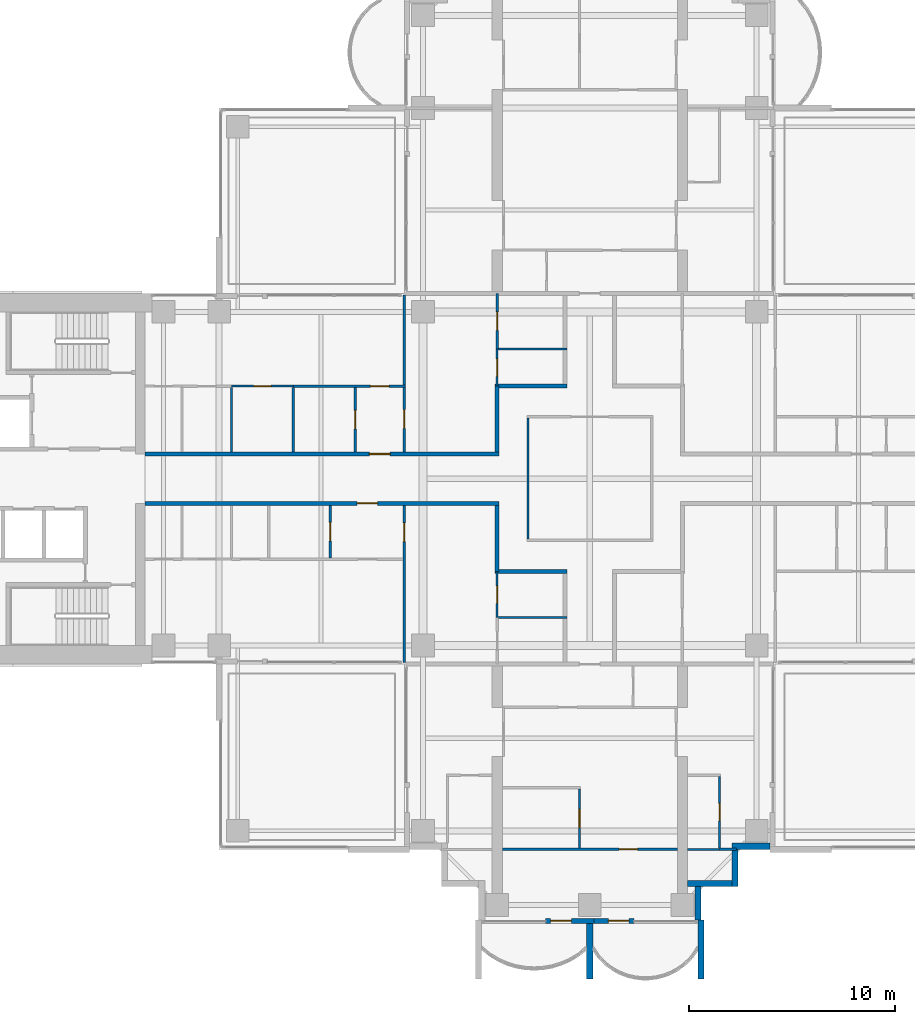
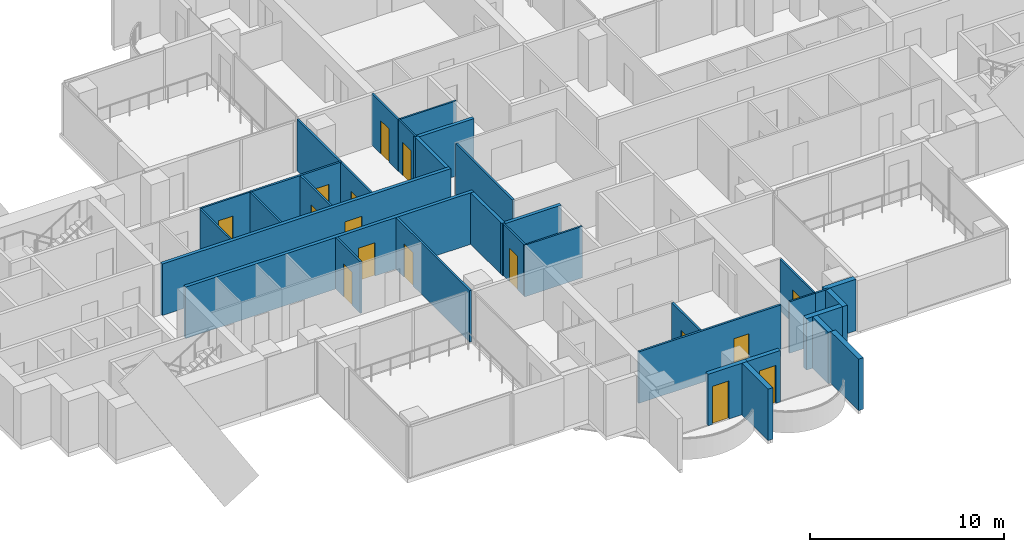
# One storey, part 10 of 19: 33 walls, 16 doors, 16 openings.
"""IFC4 building model written with IfcOpenShell, lengths in metres."""

from ifc_helpers import new_model, si_unit, direction, frame, frame_2d, origin, place, context, subcontext, project, spatial, rectangle, extrude, material, layer, layer_set, type_object, element, fill, save


model = new_model("IFC4")

# Units and contexts
model_context = context("Model", 3, precision=1e-05, world=origin(), true_north=direction((0.0, 1.0)))
body_context = subcontext(model_context, "Body", "Model", "MODEL_VIEW")
ifc_project = project(units=[si_unit("LENGTHUNIT", "METRE"), si_unit("AREAUNIT", "SQUARE_METRE"), si_unit("VOLUMEUNIT", "CUBIC_METRE"), si_unit("PLANEANGLEUNIT", "RADIAN"), si_unit("MASSUNIT", "GRAM", prefix="KILO")], contexts=[model_context])

# Site, building, storey
site_placement = place(None, origin())
site = spatial("IfcSite", under=ifc_project, at=site_placement, CompositionType="ELEMENT")
building_placement = place(site_placement, origin())
building = spatial("IfcBuilding", under=site, at=building_placement, Name="Perihelion Cross Residences", CompositionType="ELEMENT")
storey_placement = place(building_placement, frame((0.0, 0.0, 137.39990234375)))
storey = spatial("IfcBuildingStorey", under=building, at=storey_placement, Name="L33", CompositionType="ELEMENT", Elevation=137.39990234375)

# Wall, opening, door
ifc_material_1 = material(Name="Plasterboard partition")
ifc_layer_1 = layer(ifc_material_1, 0.199951171875)
ifc_layer_set_1 = layer_set([ifc_layer_1], Name="Apartment separation wall 200")
wall_type_1 = type_object("IfcWallType", Name="Apartment separation wall 200", PredefinedType="PARTITIONING", material=ifc_layer_set_1)
wall_1_placement = place(storey_placement, frame((-21.60009765625, 1.199951171875, 0.0), z_axis=(0.0, 0.0, 1.0), x_axis=(1.0, 0.0, 0.0)))
wall_1 = element("IfcWall", 1, at=wall_1_placement, inside=storey, type_object=wall_type_1, Name="Partition L33 W013", PredefinedType="PARTITIONING", context=body_context, shape_type="SweptSolid", body=[
    extrude(rectangle(XDim=17.2001953125, YDim=0.199951171875, at=frame_2d((8.60009765625, 0.0))), origin(), (0.0, 0.0, 1.0), 3.25),
])
opening_1_placement = place(wall_1_placement, frame((10.89990234375, 0.0, 0.0)))
opening_1 = element("IfcOpeningElement", 2, at=opening_1_placement, cuts=wall_1, Name="Opening L33.A48", PredefinedType="OPENING", context=body_context, shape_type="SweptSolid", body=[
    extrude(rectangle(XDim=1.0, YDim=2.10009765625, at=frame_2d((0.5, 1.050048828125))), frame((0.0, 0.10986328125, 0.0), z_axis=(0.0, -1.0, 0.0), x_axis=(1.0, 0.0, 0.0)), (0.0, 0.0, 1.0), 0.219970703125),
])
ifc_material_2 = material(Name="Timber door leaf", Category="wood")
door_type_1 = type_object("IfcDoorType", Name="Flat entrance door 1000 x 2100", OperationType="SINGLE_SWING_LEFT", PredefinedType="DOOR", material=ifc_material_2)
door_1_placement = place(opening_1_placement, origin())
door_1 = element("IfcDoor", 3, at=door_1_placement, inside=storey, type_object=door_type_1, Name="Door L33.A48", OperationType="SINGLE_SWING_RIGHT", OverallHeight=2.10009765625, OverallWidth=1.0, PredefinedType="DOOR", context=body_context, shape_type="SweptSolid", body=[
    extrude(rectangle(XDim=1.0, YDim=2.10009765625, at=frame_2d((0.5, 1.050048828125))), frame((0.0, 0.02490234375, 0.0), z_axis=(0.0, -1.0, 0.0), x_axis=(1.0, 0.0, 0.0)), (0.0, 0.0, 1.0), 0.050048828125),
])
fill(opening_1, door_1)

# Walls
wall_2_placement = place(storey_placement, frame((-4.5, 1.300048828125, 0.0), z_axis=(0.0, 0.0, 1.0), x_axis=(0.0, 1.0, 0.0)))
element("IfcWall", 4, at=wall_2_placement, inside=storey, type_object=wall_type_1, Name="Partition L33 W014", PredefinedType="PARTITIONING", context=body_context, shape_type="SweptSolid", body=[
    extrude(rectangle(XDim=3.199951171875, YDim=0.199951171875, at=frame_2d((1.60009765625, 0.0))), origin(), (0.0, 0.0, 1.0), 3.25),
])
wall_3_placement = place(storey_placement, frame((-4.60009765625, 4.5, 0.0), z_axis=(0.0, 0.0, 1.0), x_axis=(1.0, 0.0, 0.0)))
element("IfcWall", 5, at=wall_3_placement, inside=storey, type_object=wall_type_1, Name="Partition L33 W015", PredefinedType="PARTITIONING", context=body_context, shape_type="SweptSolid", body=[
    extrude(rectangle(XDim=3.5, YDim=0.199951171875, at=frame_2d((1.75, 0.0))), origin(), (0.0, 0.0, 1.0), 3.25),
])

# Wall, opening, door
wall_4_placement = place(storey_placement, frame((-4.39990234375, -1.199951171875, 0.0), z_axis=(0.0, 0.0, 1.0), x_axis=(-1.0, 0.0, 0.0)))
wall_4 = element("IfcWall", 6, at=wall_4_placement, inside=storey, type_object=wall_type_1, Name="Partition L33 W017", PredefinedType="PARTITIONING", context=body_context, shape_type="SweptSolid", body=[
    extrude(rectangle(XDim=17.2001953125, YDim=0.199951171875, at=frame_2d((8.60009765625, 0.0))), origin(), (0.0, 0.0, 1.0), 3.25),
])
opening_2_placement = place(wall_4_placement, frame((5.89990234375, 0.0, 0.0)))
opening_2 = element("IfcOpeningElement", 7, at=opening_2_placement, cuts=wall_4, Name="Opening L33.A49", PredefinedType="OPENING", context=body_context, shape_type="SweptSolid", body=[
    extrude(rectangle(XDim=1.0, YDim=2.10009765625, at=frame_2d((0.5, 1.050048828125))), frame((0.0, 0.10986328125, 0.0), z_axis=(0.0, -1.0, 0.0), x_axis=(1.0, 0.0, 0.0)), (0.0, 0.0, 1.0), 0.219970703125),
])
door_2_placement = place(opening_2_placement, origin())
door_2 = element("IfcDoor", 8, at=door_2_placement, inside=storey, type_object=door_type_1, Name="Door L33.A49", OperationType="SINGLE_SWING_RIGHT", OverallHeight=2.10009765625, OverallWidth=1.0, PredefinedType="DOOR", context=body_context, shape_type="SweptSolid", body=[
    extrude(rectangle(XDim=1.0, YDim=2.10009765625, at=frame_2d((0.5, 1.050048828125))), frame((0.0, 0.02490234375, 0.0), z_axis=(0.0, -1.0, 0.0), x_axis=(1.0, 0.0, 0.0)), (0.0, 0.0, 1.0), 0.050048828125),
])
fill(opening_2, door_2)

# Walls
wall_5_placement = place(storey_placement, frame((-4.5, -4.5, 0.0), z_axis=(0.0, 0.0, 1.0), x_axis=(0.0, 1.0, 0.0)))
element("IfcWall", 9, at=wall_5_placement, inside=storey, type_object=wall_type_1, Name="Partition L33 W018", PredefinedType="PARTITIONING", context=body_context, shape_type="SweptSolid", body=[
    extrude(rectangle(XDim=3.199951171875, YDim=0.199951171875, at=frame_2d((1.60009765625, 0.0))), origin(), (0.0, 0.0, 1.0), 3.25),
])
wall_6_placement = place(storey_placement, frame((-1.10009765625, -4.5, 0.0), z_axis=(0.0, 0.0, 1.0), x_axis=(-1.0, 0.0, 0.0)))
element("IfcWall", 10, at=wall_6_placement, inside=storey, type_object=wall_type_1, Name="Partition L33 W020", PredefinedType="PARTITIONING", context=body_context, shape_type="SweptSolid", body=[
    extrude(rectangle(XDim=3.5, YDim=0.199951171875, at=frame_2d((1.75, 0.0))), origin(), (0.0, 0.0, 1.0), 3.25),
])

# Wall, opening, door
ifc_material_3 = material(Name="Concrete C30/37, bronze-clad", Category="concrete")
ifc_layer_2 = layer(ifc_material_3, 0.25)
ifc_layer_set_2 = layer_set([ifc_layer_2], Name="Bronze-clad pier wall 250")
wall_type_2 = type_object("IfcWallType", Name="Bronze-clad pier wall 250", PredefinedType="SOLIDWALL", material=ifc_layer_set_2)
wall_7_placement = place(storey_placement, frame((-2.14990234375, -21.47509765625, 0.0), z_axis=(0.0, 0.0, 1.0), x_axis=(1.0, 0.0, 0.0)))
wall_7 = element("IfcWall", 11, at=wall_7_placement, inside=storey, type_object=wall_type_2, Name="Wall FW1 L33 south tip south bay 1 pier", PredefinedType="SOLIDWALL", context=body_context, shape_type="SweptSolid", body=[
    extrude(rectangle(XDim=2.349853515625, YDim=0.25, at=frame_2d((1.1748046875, 0.0))), origin(), (0.0, 0.0, 1.0), 3.25),
])
opening_3_placement = place(wall_7_placement, frame((0.25, 0.0, 0.0)))
opening_3 = element("IfcOpeningElement", 12, at=opening_3_placement, cuts=wall_7, Name="Opening L33.E11", PredefinedType="OPENING", context=body_context, shape_type="SweptSolid", body=[
    extrude(rectangle(XDim=1.0, YDim=2.39990234375, at=frame_2d((0.5, 1.199951171875))), frame((0.0, 0.135009765625, 0.0), z_axis=(0.0, -1.0, 0.0), x_axis=(1.0, 0.0, 0.0)), (0.0, 0.0, 1.0), 0.27001953125),
])
ifc_material_4 = material(Name="Bronze anodised aluminium, glazed", Category="aluminium")
door_type_2 = type_object("IfcDoorType", Name="Balcony door 1000 x 2400", OperationType="NOTDEFINED", PredefinedType="DOOR", material=ifc_material_4)
door_3_placement = place(opening_3_placement, origin())
door_3 = element("IfcDoor", 13, at=door_3_placement, inside=storey, type_object=door_type_2, Name="Door L33.E11 south tip south bay 1", OperationType="SINGLE_SWING_RIGHT", OverallHeight=2.39990234375, OverallWidth=1.0, PredefinedType="DOOR", context=body_context, shape_type="SweptSolid", body=[
    extrude(rectangle(XDim=1.0, YDim=2.39990234375, at=frame_2d((0.5, 1.199951171875))), frame((0.0, 0.02490234375, 0.0), z_axis=(0.0, -1.0, 0.0), x_axis=(1.0, 0.0, 0.0)), (0.0, 0.0, 1.0), 0.050048828125),
])
fill(opening_3, door_3)

wall_8_placement = place(storey_placement, frame((0.199951171875, -21.47509765625, 0.0), z_axis=(0.0, 0.0, 1.0), x_axis=(1.0, 0.0, 0.0)))
wall_8 = element("IfcWall", 14, at=wall_8_placement, inside=storey, type_object=wall_type_2, Name="Wall FW1 L33 south tip south bay 2 pier", PredefinedType="SOLIDWALL", context=body_context, shape_type="SweptSolid", body=[
    extrude(rectangle(XDim=1.949951171875, YDim=0.25, at=frame_2d((0.97509765625, 0.0))), origin(), (0.0, 0.0, 1.0), 3.25),
])
opening_4_placement = place(wall_8_placement, frame((0.699951171875, 0.0, 0.0)))
opening_4 = element("IfcOpeningElement", 15, at=opening_4_placement, cuts=wall_8, Name="Opening L33.E12", PredefinedType="OPENING", context=body_context, shape_type="SweptSolid", body=[
    extrude(rectangle(XDim=1.0, YDim=2.39990234375, at=frame_2d((0.5, 1.199951171875))), frame((0.0, 0.135009765625, 0.0), z_axis=(0.0, -1.0, 0.0), x_axis=(1.0, 0.0, 0.0)), (0.0, 0.0, 1.0), 0.27001953125),
])
door_4_placement = place(opening_4_placement, origin())
door_4 = element("IfcDoor", 16, at=door_4_placement, inside=storey, type_object=door_type_2, Name="Door L33.E12 south tip south bay 2", OperationType="SINGLE_SWING_LEFT", OverallHeight=2.39990234375, OverallWidth=1.0, PredefinedType="DOOR", context=body_context, shape_type="SweptSolid", body=[
    extrude(rectangle(XDim=1.0, YDim=2.39990234375, at=frame_2d((0.5, 1.199951171875))), frame((0.0, 0.02490234375, 0.0), z_axis=(0.0, -1.0, 0.0), x_axis=(1.0, 0.0, 0.0)), (0.0, 0.0, 1.0), 0.050048828125),
])
fill(opening_4, door_4)

# Walls
ifc_material_5 = material(Name="Concrete C30/37, bronze-clad", Category="concrete")
ifc_layer_3 = layer(ifc_material_5, 0.300048828125)
ifc_layer_set_3 = layer_set([ifc_layer_3], Name="Bronze-clad serration wall 300")
wall_type_3 = type_object("IfcWallType", Name="Bronze-clad serration wall 300", PredefinedType="SOLIDWALL", material=ifc_layer_set_3)
wall_9_placement = place(storey_placement, frame((5.25, -21.419921875, 0.0), z_axis=(0.0, 0.0, 1.0), x_axis=(0.0, 1.0, 0.0)))
element("IfcWall", 17, at=wall_9_placement, inside=storey, type_object=wall_type_3, Name="Wall SR1 L33 south corner south-east 1", PredefinedType="SOLIDWALL", context=body_context, shape_type="SweptSolid", body=[
    extrude(rectangle(XDim=1.619873046875, YDim=0.300048828125, at=frame_2d((0.81005859375, 0.0))), origin(), (0.0, 0.0, 1.0), 3.25),
])
wall_10_placement = place(storey_placement, frame((4.75, -19.64990234375, 0.0), z_axis=(0.0, 0.0, 1.0), x_axis=(1.0, 0.0, 0.0)))
element("IfcWall", 18, at=wall_10_placement, inside=storey, type_object=wall_type_3, Name="Wall SR1 L33 south corner south-east 2", PredefinedType="SOLIDWALL", context=body_context, shape_type="SweptSolid", body=[
    extrude(rectangle(XDim=2.14990234375, YDim=0.300048828125, at=frame_2d((1.074951171875, 0.0))), origin(), (0.0, 0.0, 1.0), 3.25),
])
wall_11_placement = place(storey_placement, frame((7.050048828125, -19.800048828125, 0.0), z_axis=(0.0, 0.0, 1.0), x_axis=(0.0, 1.0, 0.0)))
element("IfcWall", 19, at=wall_11_placement, inside=storey, type_object=wall_type_3, Name="Wall SR1 L33 south corner south-east 3", PredefinedType="SOLIDWALL", context=body_context, shape_type="SweptSolid", body=[
    extrude(rectangle(XDim=1.800048828125, YDim=0.300048828125, at=frame_2d((0.89990234375, 0.0))), origin(), (0.0, 0.0, 1.0), 3.25),
])
wall_12_placement = place(storey_placement, frame((6.89990234375, -17.85009765625, 0.0), z_axis=(0.0, 0.0, 1.0), x_axis=(1.0, 0.0, 0.0)))
element("IfcWall", 20, at=wall_12_placement, inside=storey, type_object=wall_type_3, Name="Wall SR1 L33 south corner south-east 4", PredefinedType="SOLIDWALL", context=body_context, shape_type="SweptSolid", body=[
    extrude(rectangle(XDim=1.85009765625, YDim=0.300048828125, at=frame_2d((0.925048828125, 0.0))), origin(), (0.0, 0.0, 1.0), 3.25),
])
ifc_material_6 = material(Name="Plasterboard partition")
ifc_layer_4 = layer(ifc_material_6, 0.1201171875)
ifc_layer_set_4 = layer_set([ifc_layer_4], Name="Partition wall 120")
wall_type_4 = type_object("IfcWallType", Name="Partition wall 120", PredefinedType="PARTITIONING", material=ifc_layer_set_4)
wall_13_placement = place(storey_placement, frame((-3.0, 2.93994140625, 0.0), z_axis=(0.0, 0.0, 1.0), x_axis=(0.0, -1.0, 0.0)))
element("IfcWall", 21, at=wall_13_placement, inside=storey, type_object=wall_type_4, Name="Partition L33 W004", PredefinedType="PARTITIONING", context=body_context, shape_type="SweptSolid", body=[
    extrude(rectangle(XDim=5.8798828125, YDim=0.1201171875, at=frame_2d((2.93994140625, 0.0))), origin(), (0.0, 0.0, 1.0), 3.25),
])

# Wall, opening, door
wall_14_placement = place(storey_placement, frame((-11.39990234375, 1.300048828125, 0.0), z_axis=(0.0, 0.0, 1.0), x_axis=(0.0, 1.0, 0.0)))
wall_14 = element("IfcWall", 22, at=wall_14_placement, inside=storey, type_object=wall_type_4, Name="Partition L33 W041", PredefinedType="PARTITIONING", context=body_context, shape_type="SweptSolid", body=[
    extrude(rectangle(XDim=3.139892578125, YDim=0.1201171875, at=frame_2d((1.56982421875, 0.0))), origin(), (0.0, 0.0, 1.0), 3.25),
])
opening_5_placement = place(wall_14_placement, frame((1.1201171875, 0.0, 0.0)))
opening_5 = element("IfcOpeningElement", 23, at=opening_5_placement, cuts=wall_14, Name="Opening L33.A17", PredefinedType="OPENING", context=body_context, shape_type="SweptSolid", body=[
    extrude(rectangle(XDim=0.89990234375, YDim=2.10009765625, at=frame_2d((0.449951171875, 1.050048828125))), frame((0.0, 0.070068359375, 0.0), z_axis=(0.0, -1.0, 0.0), x_axis=(1.0, 0.0, 0.0)), (0.0, 0.0, 1.0), 0.14013671875),
])
ifc_material_7 = material(Name="Timber door leaf", Category="wood")
door_type_3 = type_object("IfcDoorType", Name="Interior room door 900 x 2100", OperationType="SINGLE_SWING_LEFT", PredefinedType="DOOR", material=ifc_material_7)
door_5_placement = place(opening_5_placement, origin())
door_5 = element("IfcDoor", 24, at=door_5_placement, inside=storey, type_object=door_type_3, Name="Door L33.A17", OperationType="SINGLE_SWING_LEFT", OverallHeight=2.10009765625, OverallWidth=0.89990234375, PredefinedType="DOOR", context=body_context, shape_type="SweptSolid", body=[
    extrude(rectangle(XDim=0.89990234375, YDim=2.10009765625, at=frame_2d((0.449951171875, 1.050048828125))), frame((0.0, 0.02490234375, 0.0), z_axis=(0.0, -1.0, 0.0), x_axis=(1.0, 0.0, 0.0)), (0.0, 0.0, 1.0), 0.050048828125),
])
fill(opening_5, door_5)

wall_15_placement = place(storey_placement, frame((-14.39990234375, 4.5, 0.0), z_axis=(0.0, 0.0, 1.0), x_axis=(1.0, 0.0, 0.0)))
wall_15 = element("IfcWall", 25, at=wall_15_placement, inside=storey, type_object=wall_type_4, Name="Partition L33 W042", PredefinedType="PARTITIONING", context=body_context, shape_type="SweptSolid", body=[
    extrude(rectangle(XDim=5.4599609375, YDim=0.1201171875, at=frame_2d((2.72998046875, 0.0))), origin(), (0.0, 0.0, 1.0), 3.25),
])
opening_6_placement = place(wall_15_placement, frame((3.75, 0.0, 0.0)))
opening_6 = element("IfcOpeningElement", 26, at=opening_6_placement, cuts=wall_15, Name="Opening L33.A22", PredefinedType="OPENING", context=body_context, shape_type="SweptSolid", body=[
    extrude(rectangle(XDim=0.89990234375, YDim=2.10009765625, at=frame_2d((0.449951171875, 1.050048828125))), frame((0.0, 0.070068359375, 0.0), z_axis=(0.0, -1.0, 0.0), x_axis=(1.0, 0.0, 0.0)), (0.0, 0.0, 1.0), 0.14013671875),
])
door_6_placement = place(opening_6_placement, origin())
door_6 = element("IfcDoor", 27, at=door_6_placement, inside=storey, type_object=door_type_3, Name="Door L33.A22", OperationType="SINGLE_SWING_LEFT", OverallHeight=2.10009765625, OverallWidth=0.89990234375, PredefinedType="DOOR", context=body_context, shape_type="SweptSolid", body=[
    extrude(rectangle(XDim=0.89990234375, YDim=2.10009765625, at=frame_2d((0.449951171875, 1.050048828125))), frame((0.0, 0.02490234375, 0.0), z_axis=(0.0, -1.0, 0.0), x_axis=(1.0, 0.0, 0.0)), (0.0, 0.0, 1.0), 0.050048828125),
])
fill(opening_6, door_6)

wall_16_placement = place(storey_placement, frame((-9.0, 8.919921875, 0.0), z_axis=(0.0, 0.0, 1.0), x_axis=(0.0, -1.0, 0.0)))
wall_16 = element("IfcWall", 28, at=wall_16_placement, inside=storey, type_object=wall_type_4, Name="Partition L33 W043", PredefinedType="PARTITIONING", context=body_context, shape_type="SweptSolid", body=[
    extrude(rectangle(XDim=7.619873046875, YDim=0.1201171875, at=frame_2d((3.81005859375, 0.0))), origin(), (0.0, 0.0, 1.0), 3.25),
])
opening_7_placement = place(wall_16_placement, frame((5.570068359375, 0.0, 0.0)))
opening_7 = element("IfcOpeningElement", 29, at=opening_7_placement, cuts=wall_16, Name="Opening L33.A18", PredefinedType="OPENING", context=body_context, shape_type="SweptSolid", body=[
    extrude(rectangle(XDim=0.89990234375, YDim=2.10009765625, at=frame_2d((0.449951171875, 1.050048828125))), frame((0.0, 0.070068359375, 0.0), z_axis=(0.0, -1.0, 0.0), x_axis=(1.0, 0.0, 0.0)), (0.0, 0.0, 1.0), 0.14013671875),
])
door_7_placement = place(opening_7_placement, origin())
door_7 = element("IfcDoor", 30, at=door_7_placement, inside=storey, type_object=door_type_3, Name="Door L33.A18", OperationType="SINGLE_SWING_RIGHT", OverallHeight=2.10009765625, OverallWidth=0.89990234375, PredefinedType="DOOR", context=body_context, shape_type="SweptSolid", body=[
    extrude(rectangle(XDim=0.89990234375, YDim=2.10009765625, at=frame_2d((0.449951171875, 1.050048828125))), frame((0.0, 0.02490234375, 0.0), z_axis=(0.0, -1.0, 0.0), x_axis=(1.0, 0.0, 0.0)), (0.0, 0.0, 1.0), 0.050048828125),
])
fill(opening_7, door_7)

wall_17_placement = place(storey_placement, frame((-4.5, 9.0, 0.0), z_axis=(0.0, 0.0, 1.0), x_axis=(0.0, -1.0, 0.0)))
wall_17 = element("IfcWall", 31, at=wall_17_placement, inside=storey, type_object=wall_type_4, Name="Partition L33 W051", PredefinedType="PARTITIONING", context=body_context, shape_type="SweptSolid", body=[
    extrude(rectangle(XDim=2.699951171875, YDim=0.1201171875, at=frame_2d((1.35009765625, 0.0))), origin(), (0.0, 0.0, 1.0), 3.25),
])
opening_8_placement = place(wall_17_placement, frame((0.89990234375, 0.0, 0.0)))
opening_8 = element("IfcOpeningElement", 32, at=opening_8_placement, cuts=wall_17, Name="Opening L33.A19", PredefinedType="OPENING", context=body_context, shape_type="SweptSolid", body=[
    extrude(rectangle(XDim=0.89990234375, YDim=2.10009765625, at=frame_2d((0.449951171875, 1.050048828125))), frame((0.0, 0.070068359375, 0.0), z_axis=(0.0, -1.0, 0.0), x_axis=(1.0, 0.0, 0.0)), (0.0, 0.0, 1.0), 0.14013671875),
])
door_8_placement = place(opening_8_placement, origin())
door_8 = element("IfcDoor", 33, at=door_8_placement, inside=storey, type_object=door_type_3, Name="Door L33.A19", OperationType="SINGLE_SWING_RIGHT", OverallHeight=2.10009765625, OverallWidth=0.89990234375, PredefinedType="DOOR", context=body_context, shape_type="SweptSolid", body=[
    extrude(rectangle(XDim=0.89990234375, YDim=2.10009765625, at=frame_2d((0.449951171875, 1.050048828125))), frame((0.0, 0.02490234375, 0.0), z_axis=(0.0, -1.0, 0.0), x_axis=(1.0, 0.0, 0.0)), (0.0, 0.0, 1.0), 0.050048828125),
])
fill(opening_8, door_8)

wall_18_placement = place(storey_placement, frame((-12.60009765625, -3.840087890625, 0.0), z_axis=(0.0, 0.0, 1.0), x_axis=(0.0, 1.0, 0.0)))
wall_18 = element("IfcWall", 34, at=wall_18_placement, inside=storey, type_object=wall_type_4, Name="Partition L33 W053", PredefinedType="PARTITIONING", context=body_context, shape_type="SweptSolid", body=[
    extrude(rectangle(XDim=2.5400390625, YDim=0.1201171875, at=frame_2d((1.27001953125, 0.0))), origin(), (0.0, 0.0, 1.0), 3.25),
])
opening_9_placement = place(wall_18_placement, frame((0.820068359375, 0.0, 0.0)))
opening_9 = element("IfcOpeningElement", 35, at=opening_9_placement, cuts=wall_18, Name="Opening L33.A26", PredefinedType="OPENING", context=body_context, shape_type="SweptSolid", body=[
    extrude(rectangle(XDim=0.89990234375, YDim=2.10009765625, at=frame_2d((0.449951171875, 1.050048828125))), frame((0.0, 0.070068359375, 0.0), z_axis=(0.0, -1.0, 0.0), x_axis=(1.0, 0.0, 0.0)), (0.0, 0.0, 1.0), 0.14013671875),
])
door_9_placement = place(opening_9_placement, origin())
door_9 = element("IfcDoor", 36, at=door_9_placement, inside=storey, type_object=door_type_3, Name="Door L33.A26", OperationType="SINGLE_SWING_RIGHT", OverallHeight=2.10009765625, OverallWidth=0.89990234375, PredefinedType="DOOR", context=body_context, shape_type="SweptSolid", body=[
    extrude(rectangle(XDim=0.89990234375, YDim=2.10009765625, at=frame_2d((0.449951171875, 1.050048828125))), frame((0.0, 0.02490234375, 0.0), z_axis=(0.0, -1.0, 0.0), x_axis=(1.0, 0.0, 0.0)), (0.0, 0.0, 1.0), 0.050048828125),
])
fill(opening_9, door_9)

wall_19_placement = place(storey_placement, frame((-9.0, -1.300048828125, 0.0), z_axis=(0.0, 0.0, 1.0), x_axis=(0.0, -1.0, 0.0)))
wall_19 = element("IfcWall", 37, at=wall_19_placement, inside=storey, type_object=wall_type_4, Name="Partition L33 W055", PredefinedType="PARTITIONING", context=body_context, shape_type="SweptSolid", body=[
    extrude(rectangle(XDim=7.619873046875, YDim=0.1201171875, at=frame_2d((3.81005859375, 0.0))), origin(), (0.0, 0.0, 1.0), 3.25),
])
opening_10_placement = place(wall_19_placement, frame((0.85009765625, 0.0, 0.0)))
opening_10 = element("IfcOpeningElement", 38, at=opening_10_placement, cuts=wall_19, Name="Opening L33.A29", PredefinedType="OPENING", context=body_context, shape_type="SweptSolid", body=[
    extrude(rectangle(XDim=0.89990234375, YDim=2.10009765625, at=frame_2d((0.449951171875, 1.050048828125))), frame((0.0, 0.070068359375, 0.0), z_axis=(0.0, -1.0, 0.0), x_axis=(1.0, 0.0, 0.0)), (0.0, 0.0, 1.0), 0.14013671875),
])
door_10_placement = place(opening_10_placement, origin())
door_10 = element("IfcDoor", 39, at=door_10_placement, inside=storey, type_object=door_type_3, Name="Door L33.A29", OperationType="SINGLE_SWING_LEFT", OverallHeight=2.10009765625, OverallWidth=0.89990234375, PredefinedType="DOOR", context=body_context, shape_type="SweptSolid", body=[
    extrude(rectangle(XDim=0.89990234375, YDim=2.10009765625, at=frame_2d((0.449951171875, 1.050048828125))), frame((0.0, 0.02490234375, 0.0), z_axis=(0.0, -1.0, 0.0), x_axis=(1.0, 0.0, 0.0)), (0.0, 0.0, 1.0), 0.050048828125),
])
fill(opening_10, door_10)

wall_20_placement = place(storey_placement, frame((-0.5, -17.93994140625, 0.0), z_axis=(0.0, 0.0, 1.0), x_axis=(0.0, 1.0, 0.0)))
wall_20 = element("IfcWall", 40, at=wall_20_placement, inside=storey, type_object=wall_type_4, Name="Partition L33 W080", PredefinedType="PARTITIONING", context=body_context, shape_type="SweptSolid", body=[
    extrude(rectangle(XDim=2.8798828125, YDim=0.1201171875, at=frame_2d((1.43994140625, 0.0))), origin(), (0.0, 0.0, 1.0), 3.25),
])
opening_11_placement = place(wall_20_placement, frame((0.989990234375, 0.0, 0.0)))
opening_11 = element("IfcOpeningElement", 41, at=opening_11_placement, cuts=wall_20, Name="Opening L33.A42", PredefinedType="OPENING", context=body_context, shape_type="SweptSolid", body=[
    extrude(rectangle(XDim=0.89990234375, YDim=2.10009765625, at=frame_2d((0.449951171875, 1.050048828125))), frame((0.0, 0.070068359375, 0.0), z_axis=(0.0, -1.0, 0.0), x_axis=(1.0, 0.0, 0.0)), (0.0, 0.0, 1.0), 0.14013671875),
])
door_11_placement = place(opening_11_placement, origin())
door_11 = element("IfcDoor", 42, at=door_11_placement, inside=storey, type_object=door_type_3, Name="Door L33.A42", OperationType="SINGLE_SWING_RIGHT", OverallHeight=2.10009765625, OverallWidth=0.89990234375, PredefinedType="DOOR", context=body_context, shape_type="SweptSolid", body=[
    extrude(rectangle(XDim=0.89990234375, YDim=2.10009765625, at=frame_2d((0.449951171875, 1.050048828125))), frame((0.0, 0.02490234375, 0.0), z_axis=(0.0, -1.0, 0.0), x_axis=(1.0, 0.0, 0.0)), (0.0, 0.0, 1.0), 0.050048828125),
])
fill(opening_11, door_11)

wall_21_placement = place(storey_placement, frame((4.25, -18.0, 0.0), z_axis=(0.0, 0.0, 1.0), x_axis=(-1.0, 0.0, 0.0)))
wall_21 = element("IfcWall", 43, at=wall_21_placement, inside=storey, type_object=wall_type_4, Name="Partition L33 W082", PredefinedType="PARTITIONING", context=body_context, shape_type="SweptSolid", body=[
    extrude(rectangle(XDim=8.5, YDim=0.1201171875, at=frame_2d((4.25, 0.0))), origin(), (0.0, 0.0, 1.0), 3.25),
])
opening_12_placement = place(wall_21_placement, frame((1.925048828125, 0.0, 0.0)))
opening_12 = element("IfcOpeningElement", 44, at=opening_12_placement, cuts=wall_21, Name="Opening L33.A43", PredefinedType="OPENING", context=body_context, shape_type="SweptSolid", body=[
    extrude(rectangle(XDim=0.89990234375, YDim=2.10009765625, at=frame_2d((0.449951171875, 1.050048828125))), frame((0.0, 0.070068359375, 0.0), z_axis=(0.0, -1.0, 0.0), x_axis=(1.0, 0.0, 0.0)), (0.0, 0.0, 1.0), 0.14013671875),
])
door_12_placement = place(opening_12_placement, origin())
door_12 = element("IfcDoor", 45, at=door_12_placement, inside=storey, type_object=door_type_3, Name="Door L33.A43", OperationType="SINGLE_SWING_RIGHT", OverallHeight=2.10009765625, OverallWidth=0.89990234375, PredefinedType="DOOR", context=body_context, shape_type="SweptSolid", body=[
    extrude(rectangle(XDim=0.89990234375, YDim=2.10009765625, at=frame_2d((0.449951171875, 1.050048828125))), frame((0.0, 0.02490234375, 0.0), z_axis=(0.0, -1.0, 0.0), x_axis=(1.0, 0.0, 0.0)), (0.0, 0.0, 1.0), 0.050048828125),
])
fill(opening_12, door_12)

# Walls
wall_22_placement = place(storey_placement, frame((7.1201171875, -18.0, 0.0), z_axis=(0.0, 0.0, 1.0), x_axis=(-1.0, 0.0, 0.0)))
element("IfcWall", 46, at=wall_22_placement, inside=storey, type_object=wall_type_4, Name="Partition L33 W085", PredefinedType="PARTITIONING", context=body_context, shape_type="SweptSolid", body=[
    extrude(rectangle(XDim=0.820068359375, YDim=0.1201171875, at=frame_2d((0.41015625, 0.0))), origin(), (0.0, 0.0, 1.0), 3.25),
])
ifc_material_8 = material(Name="Precast concrete C50/60", Category="concrete")
ifc_layer_5 = layer(ifc_material_8, 0.300048828125)
ifc_layer_set_5 = layer_set([ifc_layer_5], Name="Precast concrete C50/60 blade wall 300")
wall_type_5 = type_object("IfcWallType", Name="Precast concrete C50/60 blade wall 300", PredefinedType="SOLIDWALL", material=ifc_layer_set_5)
wall_23_placement = place(storey_placement, frame((0.0, -21.60009765625, 0.0), z_axis=(0.0, 0.0, 1.0), x_axis=(0.0, -1.0, 0.0)))
element("IfcWall", 47, at=wall_23_placement, inside=storey, type_object=wall_type_5, Name="Wall BL1 L33 no. 8", PredefinedType="SOLIDWALL", context=body_context, shape_type="SweptSolid", body=[
    extrude(rectangle(XDim=2.699951171875, YDim=0.300048828125, at=frame_2d((1.35009765625, 0.0))), origin(), (0.0, 0.0, 1.0), 3.25),
])
wall_24_placement = place(storey_placement, frame((5.39990234375, -21.419921875, 0.0), z_axis=(0.0, 0.0, 1.0), x_axis=(0.0, -1.0, 0.0)))
element("IfcWall", 48, at=wall_24_placement, inside=storey, type_object=wall_type_5, Name="Wall BL1 L33 no. 12", PredefinedType="SOLIDWALL", context=body_context, shape_type="SweptSolid", body=[
    extrude(rectangle(XDim=2.880126953125, YDim=0.300048828125, at=frame_2d((1.43994140625, 0.0))), origin(), (0.0, 0.0, 1.0), 3.25),
])
ifc_material_9 = material(Name="Plasterboard partition")
ifc_layer_6 = layer(ifc_material_9, 0.10009765625)
ifc_layer_set_6 = layer_set([ifc_layer_6], Name="Wet room wall 100")
wall_type_6 = type_object("IfcWallType", Name="Wet room wall 100", PredefinedType="PARTITIONING", material=ifc_layer_set_6)
for number, where, z_axis, x_axis, name in (
    (49, (-14.39990234375, 1.300048828125, 0.0), (0.0, 0.0, 1.0), (0.0, 1.0, 0.0), "Partition L33 W044"),
    (50, (-17.39990234375, 1.300048828125, 0.0), (0.0, 0.0, 1.0), (0.0, 1.0, 0.0), "Partition L33 W045"),
):
    element("IfcWall", number, at=place(storey_placement, frame(where, z_axis=z_axis, x_axis=x_axis)), inside=storey, type_object=wall_type_6, Name=name, PredefinedType="PARTITIONING", context=body_context, shape_type="SweptSolid", body=[
        extrude(rectangle(XDim=3.139892578125, YDim=0.10009765625, at=frame_2d((1.56982421875, 0.0))), origin(), (0.0, 0.0, 1.0), 3.25),
    ])

# Wall, opening, door
wall_25_placement = place(storey_placement, frame((-17.39990234375, 4.5, 0.0), z_axis=(0.0, 0.0, 1.0), x_axis=(1.0, 0.0, 0.0)))
wall_25 = element("IfcWall", 51, at=wall_25_placement, inside=storey, type_object=wall_type_6, Name="Partition L33 W046", PredefinedType="PARTITIONING", context=body_context, shape_type="SweptSolid", body=[
    extrude(rectangle(XDim=3.0, YDim=0.10009765625, at=frame_2d((1.5, 0.0))), origin(), (0.0, 0.0, 1.0), 3.25),
])
opening_13_placement = place(wall_25_placement, frame((1.074951171875, 0.0, 0.0)))
opening_13 = element("IfcOpeningElement", 52, at=opening_13_placement, cuts=wall_25, Name="Opening L33.A16", PredefinedType="OPENING", context=body_context, shape_type="SweptSolid", body=[
    extrude(rectangle(XDim=0.85009765625, YDim=2.10009765625, at=frame_2d((0.425048828125, 1.050048828125))), frame((0.0, 0.06005859375, 0.0), z_axis=(0.0, -1.0, 0.0), x_axis=(1.0, 0.0, 0.0)), (0.0, 0.0, 1.0), 0.1201171875),
])
ifc_material_10 = material(Name="Timber door leaf", Category="wood")
door_type_4 = type_object("IfcDoorType", Name="Interior bathroom door 850 x 2100", OperationType="SINGLE_SWING_LEFT", PredefinedType="DOOR", material=ifc_material_10)
door_13_placement = place(opening_13_placement, origin())
door_13 = element("IfcDoor", 53, at=door_13_placement, inside=storey, type_object=door_type_4, Name="Door L33.A16", OperationType="SINGLE_SWING_LEFT", OverallHeight=2.10009765625, OverallWidth=0.85009765625, PredefinedType="DOOR", context=body_context, shape_type="SweptSolid", body=[
    extrude(rectangle(XDim=0.85009765625, YDim=2.10009765625, at=frame_2d((0.425048828125, 1.050048828125))), frame((0.0, 0.02490234375, 0.0), z_axis=(0.0, -1.0, 0.0), x_axis=(1.0, 0.0, 0.0)), (0.0, 0.0, 1.0), 0.050048828125),
])
fill(opening_13, door_13)

wall_26_placement = place(storey_placement, frame((-4.5, 6.300048828125, 0.0), z_axis=(0.0, 0.0, 1.0), x_axis=(0.0, -1.0, 0.0)))
wall_26 = element("IfcWall", 54, at=wall_26_placement, inside=storey, type_object=wall_type_6, Name="Partition L33 W050", PredefinedType="PARTITIONING", context=body_context, shape_type="SweptSolid", body=[
    extrude(rectangle(XDim=1.800048828125, YDim=0.10009765625, at=frame_2d((0.89990234375, 0.0))), origin(), (0.0, 0.0, 1.0), 3.25),
])
opening_14_placement = place(wall_26_placement, frame((0.47509765625, 0.0, 0.0)))
opening_14 = element("IfcOpeningElement", 55, at=opening_14_placement, cuts=wall_26, Name="Opening L33.A20", PredefinedType="OPENING", context=body_context, shape_type="SweptSolid", body=[
    extrude(rectangle(XDim=0.85009765625, YDim=2.10009765625, at=frame_2d((0.425048828125, 1.050048828125))), frame((0.0, 0.06005859375, 0.0), z_axis=(0.0, -1.0, 0.0), x_axis=(1.0, 0.0, 0.0)), (0.0, 0.0, 1.0), 0.1201171875),
])
door_14_placement = place(opening_14_placement, origin())
door_14 = element("IfcDoor", 56, at=door_14_placement, inside=storey, type_object=door_type_4, Name="Door L33.A20", OperationType="SINGLE_SWING_LEFT", OverallHeight=2.10009765625, OverallWidth=0.85009765625, PredefinedType="DOOR", context=body_context, shape_type="SweptSolid", body=[
    extrude(rectangle(XDim=0.85009765625, YDim=2.10009765625, at=frame_2d((0.425048828125, 1.050048828125))), frame((0.0, 0.02490234375, 0.0), z_axis=(0.0, -1.0, 0.0), x_axis=(1.0, 0.0, 0.0)), (0.0, 0.0, 1.0), 0.050048828125),
])
fill(opening_14, door_14)

# Wall
wall_27_placement = place(storey_placement, frame((-4.56005859375, 6.300048828125, 0.0), z_axis=(0.0, 0.0, 1.0), x_axis=(1.0, 0.0, 0.0)))
element("IfcWall", 57, at=wall_27_placement, inside=storey, type_object=wall_type_6, Name="Partition L33 W052", PredefinedType="PARTITIONING", context=body_context, shape_type="SweptSolid", body=[
    extrude(rectangle(XDim=3.4599609375, YDim=0.10009765625, at=frame_2d((1.72998046875, 0.0))), origin(), (0.0, 0.0, 1.0), 3.25),
])

# Wall, opening, door
wall_28_placement = place(storey_placement, frame((-4.5, -4.5, 0.0), z_axis=(0.0, 0.0, 1.0), x_axis=(0.0, -1.0, 0.0)))
wall_28 = element("IfcWall", 58, at=wall_28_placement, inside=storey, type_object=wall_type_6, Name="Partition L33 W061", PredefinedType="PARTITIONING", context=body_context, shape_type="SweptSolid", body=[
    extrude(rectangle(XDim=2.25, YDim=0.10009765625, at=frame_2d((1.125, 0.0))), origin(), (0.0, 0.0, 1.0), 3.25),
])
opening_15_placement = place(wall_28_placement, frame((0.699951171875, 0.0, 0.0)))
opening_15 = element("IfcOpeningElement", 59, at=opening_15_placement, cuts=wall_28, Name="Opening L33.A30", PredefinedType="OPENING", context=body_context, shape_type="SweptSolid", body=[
    extrude(rectangle(XDim=0.85009765625, YDim=2.10009765625, at=frame_2d((0.425048828125, 1.050048828125))), frame((0.0, 0.06005859375, 0.0), z_axis=(0.0, -1.0, 0.0), x_axis=(1.0, 0.0, 0.0)), (0.0, 0.0, 1.0), 0.1201171875),
])
door_15_placement = place(opening_15_placement, origin())
door_15 = element("IfcDoor", 60, at=door_15_placement, inside=storey, type_object=door_type_4, Name="Door L33.A30", OperationType="SINGLE_SWING_RIGHT", OverallHeight=2.10009765625, OverallWidth=0.85009765625, PredefinedType="DOOR", context=body_context, shape_type="SweptSolid", body=[
    extrude(rectangle(XDim=0.85009765625, YDim=2.10009765625, at=frame_2d((0.425048828125, 1.050048828125))), frame((0.0, 0.02490234375, 0.0), z_axis=(0.0, -1.0, 0.0), x_axis=(1.0, 0.0, 0.0)), (0.0, 0.0, 1.0), 0.050048828125),
])
fill(opening_15, door_15)

# Wall
wall_29_placement = place(storey_placement, frame((-1.10009765625, -6.75, 0.0), z_axis=(0.0, 0.0, 1.0), x_axis=(-1.0, 0.0, 0.0)))
element("IfcWall", 61, at=wall_29_placement, inside=storey, type_object=wall_type_6, Name="Partition L33 W063", PredefinedType="PARTITIONING", context=body_context, shape_type="SweptSolid", body=[
    extrude(rectangle(XDim=3.4599609375, YDim=0.10009765625, at=frame_2d((1.72998046875, 0.0))), origin(), (0.0, 0.0, 1.0), 3.25),
])

# Wall, opening, door
wall_30_placement = place(storey_placement, frame((6.300048828125, -17.93994140625, 0.0), z_axis=(0.0, 0.0, 1.0), x_axis=(0.0, 1.0, 0.0)))
wall_30 = element("IfcWall", 62, at=wall_30_placement, inside=storey, type_object=wall_type_6, Name="Partition L33 W083", PredefinedType="PARTITIONING", context=body_context, shape_type="SweptSolid", body=[
    extrude(rectangle(XDim=3.489990234375, YDim=0.10009765625, at=frame_2d((1.7451171875, 0.0))), origin(), (0.0, 0.0, 1.0), 3.25),
])
opening_16_placement = place(wall_30_placement, frame((1.320068359375, 0.0, 0.0)))
opening_16 = element("IfcOpeningElement", 63, at=opening_16_placement, cuts=wall_30, Name="Opening L33.A44", PredefinedType="OPENING", context=body_context, shape_type="SweptSolid", body=[
    extrude(rectangle(XDim=0.85009765625, YDim=2.10009765625, at=frame_2d((0.425048828125, 1.050048828125))), frame((0.0, 0.06005859375, 0.0), z_axis=(0.0, -1.0, 0.0), x_axis=(1.0, 0.0, 0.0)), (0.0, 0.0, 1.0), 0.1201171875),
])
door_16_placement = place(opening_16_placement, origin())
door_16 = element("IfcDoor", 64, at=door_16_placement, inside=storey, type_object=door_type_4, Name="Door L33.A44", OperationType="SINGLE_SWING_LEFT", OverallHeight=2.10009765625, OverallWidth=0.85009765625, PredefinedType="DOOR", context=body_context, shape_type="SweptSolid", body=[
    extrude(rectangle(XDim=0.85009765625, YDim=2.10009765625, at=frame_2d((0.425048828125, 1.050048828125))), frame((0.0, 0.02490234375, 0.0), z_axis=(0.0, -1.0, 0.0), x_axis=(1.0, 0.0, 0.0)), (0.0, 0.0, 1.0), 0.050048828125),
])
fill(opening_16, door_16)

# Wall
wall_31_placement = place(storey_placement, frame((6.300048828125, -18.0, 0.0), z_axis=(0.0, 0.0, 1.0), x_axis=(-1.0, 0.0, 0.0)))
element("IfcWall", 65, at=wall_31_placement, inside=storey, type_object=wall_type_6, Name="Partition L33 W086", PredefinedType="PARTITIONING", context=body_context, shape_type="SweptSolid", body=[
    extrude(rectangle(XDim=1.550048828125, YDim=0.10009765625, at=frame_2d((0.77490234375, 0.0))), origin(), (0.0, 0.0, 1.0), 3.25),
])

save(model, "model.ifc")
